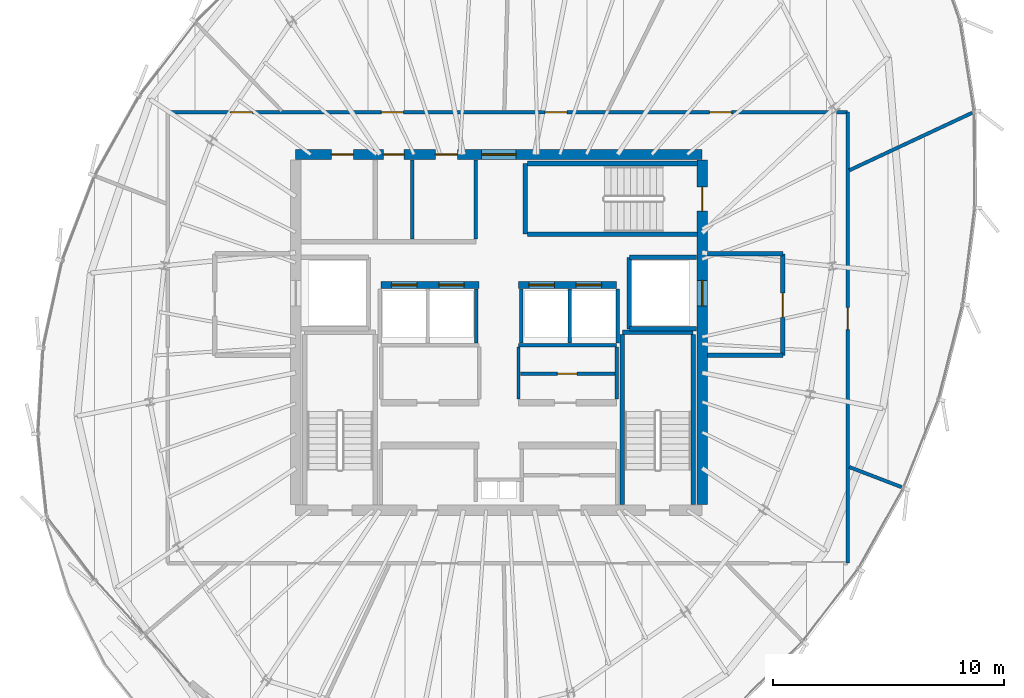
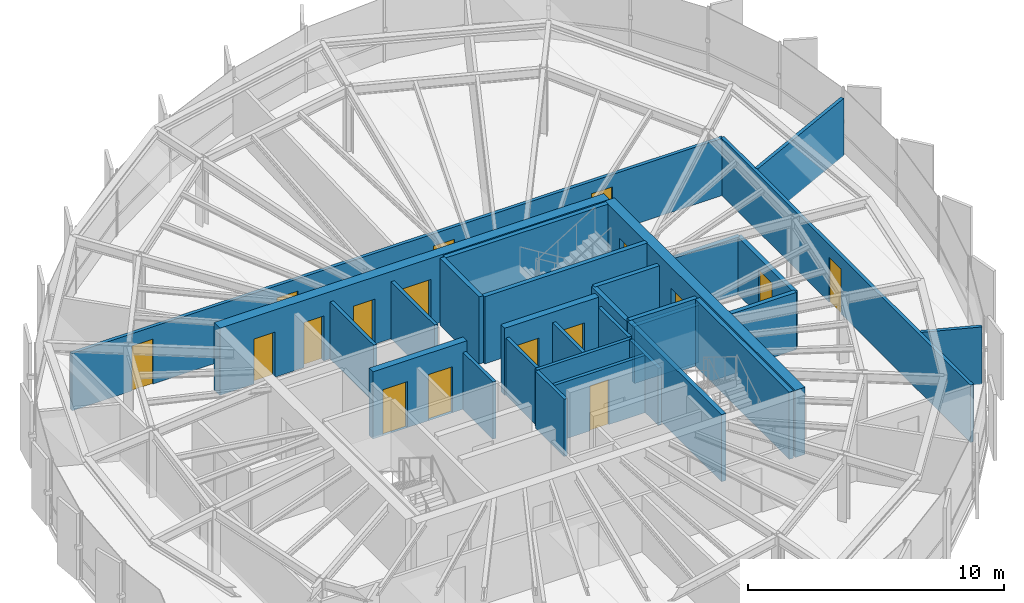
# One storey, part 28 of 34: 30 walls, 17 doors, 17 openings.
"""IFC4 building model written with IfcOpenShell, lengths in metres."""

import ifcopenshell
import ifcopenshell.guid

model = None  # the IFC model being written
_history = None  # IfcOwnerHistory: only IFC2X3 demands one
_inside = {}  # id of a spatial element -> (the spatial element, [elements in it])
_under = {}  # id of a project, library or spatial element -> (it, [spatial elements below it])
_declared = {}  # id of a project -> (the project, [libraries it declares])
_typed = {}  # id of a type object -> (the type object, [elements of that type])
_made_of = {}  # id of a material, layer set ... -> (it, [elements and type objects made of it])


def new_model(schema):
    """Start an empty IFC model of exactly this schema.

    Asked for "IFC4X3", IfcOpenShell would pick the latest addendum, in which some entities
    have other attributes; the version numbers below select the first issue.
    IFC2X3 requires an IfcOwnerHistory on every rooted entity: one is made here for all.
    """
    global model, _history
    if schema == "IFC4X3":
        model = ifcopenshell.file(schema_version=(4, 3, 0, 0))
    else:
        model = ifcopenshell.file(schema=schema)
    _inside.clear()
    _under.clear()
    _declared.clear()
    _typed.clear()
    _made_of.clear()
    _history = None
    if model.schema == "IFC2X3":
        org = make("IfcOrganization", Name="unknown")
        user = make(
            "IfcPersonAndOrganization",
            ThePerson=make("IfcPerson", FamilyName="unknown"),
            TheOrganization=org,
        )
        app = make(
            "IfcApplication",
            ApplicationDeveloper=org,
            Version="unknown",
            ApplicationFullName="unknown",
            ApplicationIdentifier="unknown",
        )
        _history = make(
            "IfcOwnerHistory",
            OwningUser=user,
            OwningApplication=app,
            ChangeAction="ADDED",
            CreationDate=0,
        )
    return model


def make(cls, **values):
    """One entity of the class cls with the attributes given. An attribute that is None is left unset."""
    return model.create_entity(
        cls, **{name: value for name, value in values.items() if value is not None}
    )


def rooted(cls, **values):
    """An entity with a GlobalId (a new one), such as an element, a storey or a relation."""
    return make(cls, GlobalId=ifcopenshell.guid.new(), OwnerHistory=_history, **values)


def si_unit(unit_type, name, prefix=None):
    """IfcSIUnit, for example si_unit("LENGTHUNIT", "METRE", prefix="MILLI")."""
    return make("IfcSIUnit", UnitType=unit_type, Prefix=prefix, Name=name)


def assignment(units):
    """IfcUnitAssignment: the units of a project."""
    return None if units is None else make("IfcUnitAssignment", Units=units)


def point(xyz):
    """IfcCartesianPoint."""
    return None if xyz is None else make("IfcCartesianPoint", Coordinates=xyz)


def direction(xyz):
    """IfcDirection."""
    return None if xyz is None else make("IfcDirection", DirectionRatios=xyz)


def frame(location, z_axis=None, x_axis=None):
    """IfcAxis2Placement3D, a coordinate frame: its origin and axes. An axis left out is left unset."""
    return make(
        "IfcAxis2Placement3D",
        Location=point(location),
        Axis=direction(z_axis),
        RefDirection=direction(x_axis),
    )


def frame_2d(location, x_axis=None):
    """IfcAxis2Placement2D, a coordinate frame in the plane: its origin and x axis."""
    return make(
        "IfcAxis2Placement2D", Location=point(location), RefDirection=direction(x_axis)
    )


def origin():
    """The frame at (0, 0, 0) with its axes left unset."""
    return frame((0.0, 0.0, 0.0))


def place(relative_to, where):
    """IfcLocalPlacement: puts the frame where relative to a parent placement (None: the world)."""
    return make(
        "IfcLocalPlacement", PlacementRelTo=relative_to, RelativePlacement=where
    )


def context(
    kind, dimensions, precision=None, world=None, true_north=None, identifier=None
):
    """IfcGeometricRepresentationContext, for example the 3D "Model" context."""
    return make(
        "IfcGeometricRepresentationContext",
        ContextIdentifier=identifier,
        ContextType=kind,
        CoordinateSpaceDimension=dimensions,
        Precision=precision,
        WorldCoordinateSystem=world,
        TrueNorth=true_north,
    )


def subcontext(parent, identifier, kind, view, scale=None):
    """IfcGeometricRepresentationSubContext, for example "Body" below "Model"."""
    return make(
        "IfcGeometricRepresentationSubContext",
        ContextIdentifier=identifier,
        ContextType=kind,
        ParentContext=parent,
        TargetScale=scale,
        TargetView=view,
    )


def project(units=None, contexts=None):
    """IfcProject with its units and contexts."""
    return rooted(
        "IfcProject",
        Name="project",
        RepresentationContexts=contexts,
        UnitsInContext=assignment(units),
    )


def spatial(cls, under=None, at=None, **own):
    """A site, building, storey or space (cls), placed at a placement, below another one or the project."""
    s = rooted(cls, ObjectPlacement=at, **own)
    if under is not None:
        _under.setdefault(under.id(), (under, []))[1].append(s)
    return s


def profile(cls, at=None, kind="AREA", **sizes):
    """A parametric profile (cls). Its sizes go by their IFC names, for example OverallWidth=200.0."""
    return make(cls, ProfileType=kind, Position=at, **sizes)


def rectangle(**sizes):
    """IfcRectangleProfileDef."""
    return profile("IfcRectangleProfileDef", **sizes)


def extrude(swept, where, along, depth):
    """IfcExtrudedAreaSolid: the profile swept, set in the frame where, extruded along a direction by depth."""
    return make(
        "IfcExtrudedAreaSolid",
        SweptArea=swept,
        Position=where,
        ExtrudedDirection=direction(along),
        Depth=depth,
    )


def shape(context_of_items, identifier, shape_type, items):
    """IfcShapeRepresentation: the items that make up one representation, for example the "Body"."""
    return make(
        "IfcShapeRepresentation",
        ContextOfItems=context_of_items,
        RepresentationIdentifier=identifier,
        RepresentationType=shape_type,
        Items=items,
    )


def source(mapping_origin, context_of_items, identifier, shape_type, items):
    """IfcRepresentationMap: a shape defined once, which mapped items show again and again."""
    return make(
        "IfcRepresentationMap",
        MappingOrigin=mapping_origin,
        MappedRepresentation=shape(context_of_items, identifier, shape_type, items),
    )


def transform(
    local_origin,
    x_axis=None,
    y_axis=None,
    z_axis=None,
    scale=None,
    scale2=None,
    scale3=None,
    uniform=True,
):
    """IfcCartesianTransformationOperator3D, or its non-uniform kind. x_axis, y_axis, z_axis: its Axis1, 2, 3."""
    if uniform:
        return make(
            "IfcCartesianTransformationOperator3D",
            Axis1=direction(x_axis),
            Axis2=direction(y_axis),
            LocalOrigin=point(local_origin),
            Scale=scale,
            Axis3=direction(z_axis),
        )
    return make(
        "IfcCartesianTransformationOperator3DnonUniform",
        Axis1=direction(x_axis),
        Axis2=direction(y_axis),
        LocalOrigin=point(local_origin),
        Scale=scale,
        Axis3=direction(z_axis),
        Scale2=scale2,
        Scale3=scale3,
    )


def mapped(mapping_source, mapping_target):
    """IfcMappedItem: shows the shape of a source again, moved by a transform."""
    return make(
        "IfcMappedItem", MappingSource=mapping_source, MappingTarget=mapping_target
    )


def material(Name=None, Category=None):
    """IfcMaterial."""
    return make("IfcMaterial", Name=Name, Category=Category)


def layer(
    of_material, thickness, ventilated=None, Name=None, Category=None, Priority=None
):
    """IfcMaterialLayer: one layer of a wall or slab, of a material (None: an air gap)."""
    return make(
        "IfcMaterialLayer",
        Material=of_material,
        LayerThickness=thickness,
        IsVentilated=ventilated,
        Name=Name,
        Category=Category,
        Priority=Priority,
    )


def layer_set(layers, Name=None):
    """IfcMaterialLayerSet."""
    return make("IfcMaterialLayerSet", MaterialLayers=layers, LayerSetName=Name)


def made_of(thing, what):
    """Note that an element or type object is made of a material, layer set ...; save() writes the relation."""
    if what is not None:
        _made_of.setdefault(what.id(), (what, []))[1].append(thing)
    return thing


def type_object(cls, material=None, **own):
    """A type object (cls), such as IfcWallType, which elements share."""
    return made_of(rooted(cls, **own), material)


def element(
    cls,
    number,
    at=None,
    inside=None,
    cuts=None,
    type_object=None,
    material=None,
    context=None,
    identifier="Body",
    shape_type=None,
    held_by="IfcProductDefinitionShape",
    body=None,
    shapes=None,
    **own,
):
    """One element of the class cls, such as IfcWall. Its Tag is "e" and its number.

    at: its placement. inside: the storey or other place that contains it. cuts: it is an
    opening in that element (IfcRelVoidsElement). A single representation is given by context,
    identifier, shape_type and body (its items); several are given by shapes. held_by: the class
    of the entity that holds the representations. save() writes the other relations.
    """
    e = rooted(cls, Tag="e%d" % number, ObjectPlacement=at, **own)
    if body is not None:
        shapes = [shape(context, identifier, shape_type, body)]
    if shapes is not None:
        e.Representation = make(held_by, Representations=shapes)
    if inside is not None:
        _inside.setdefault(inside.id(), (inside, []))[1].append(e)
    if cuts is not None:
        rooted(
            "IfcRelVoidsElement", RelatingBuildingElement=cuts, RelatedOpeningElement=e
        )
    if type_object is not None:
        _typed.setdefault(type_object.id(), (type_object, []))[1].append(e)
    return made_of(e, material)


def fill(opening, filler):
    """IfcRelFillsElement: the door or window that sits in an opening."""
    return rooted(
        "IfcRelFillsElement",
        RelatingOpeningElement=opening,
        RelatedBuildingElement=filler,
    )


def aggregate(whole, parts):
    """IfcRelAggregates: a whole, such as a stair, and the parts it consists of."""
    return rooted("IfcRelAggregates", RelatingObject=whole, RelatedObjects=parts)


def save(model, path):
    """Write the relations noted so far, then the file.

    IfcRelAggregates (storeys below a building ...), IfcRelContainedInSpatialStructure (elements
    in a storey), IfcRelDefinesByType, IfcRelAssociatesMaterial and IfcRelDeclares: one each for
    every whole, place, type object, material and project.
    """
    for whole, parts in _under.values():
        aggregate(whole, parts)
    for where, things in _inside.values():
        rooted(
            "IfcRelContainedInSpatialStructure",
            RelatedElements=things,
            RelatingStructure=where,
        )
    for kind, things in _typed.values():
        rooted("IfcRelDefinesByType", RelatedObjects=things, RelatingType=kind)
    for what, things in _made_of.values():
        rooted("IfcRelAssociatesMaterial", RelatedObjects=things, RelatingMaterial=what)
    for by, libraries in _declared.values():
        rooted("IfcRelDeclares", RelatingContext=by, RelatedDefinitions=libraries)
    model.write(path)


model = new_model("IFC4")

# Units and contexts
model_context = context("Model", 3, precision=1e-05, world=origin(), true_north=direction((0.0, 1.0)))
body_context = subcontext(model_context, "Body", "Model", "MODEL_VIEW")
ifc_project = project(units=[si_unit("LENGTHUNIT", "METRE"), si_unit("AREAUNIT", "SQUARE_METRE"), si_unit("VOLUMEUNIT", "CUBIC_METRE"), si_unit("PLANEANGLEUNIT", "RADIAN"), si_unit("MASSUNIT", "GRAM", prefix="KILO"), si_unit("THERMODYNAMICTEMPERATUREUNIT", "KELVIN")], contexts=[model_context])

# Site, building, storey
site_placement = place(None, origin())
site = spatial("IfcSite", under=ifc_project, at=site_placement, CompositionType="ELEMENT")
building_placement = place(site_placement, origin())
building = spatial("IfcBuilding", under=site, at=building_placement, Name="Kethvar Cultural Tower", CompositionType="ELEMENT")
storey_placement = place(building_placement, frame((0.0, 0.0, 262.89990234375)))
storey = spatial("IfcBuildingStorey", under=building, at=storey_placement, Name="L69", CompositionType="ELEMENT", Elevation=262.89990234375)

# Wall, openings, doors
ifc_material_1 = material(Name="Concrete C50/60", Category="concrete")
ifc_layer_1 = layer(ifc_material_1, 0.449951171875, Name="Concrete C50/60", Category="concrete")
ifc_layer_set_1 = layer_set([ifc_layer_1], Name="Concrete C50/60 (450 mm)")
wall_type_1 = type_object("IfcWallType", Name="WL-CORE-450", PredefinedType="SHEAR", material=ifc_layer_set_1)
wall_1_placement = place(storey_placement, frame((55.60009765625, 35.5, 0.0), z_axis=(0.0, 0.0, 1.0), x_axis=(-1.0, 0.0, 0.0)))
wall_1 = element("IfcWall", 1, at=wall_1_placement, inside=storey, type_object=wall_type_1, Name="L69 Core Shear Wall N", PredefinedType="SHEAR", context=body_context, shape_type="SweptSolid", body=[
    extrude(rectangle(XDim=17.60009765625, YDim=0.449951171875, at=frame_2d((8.800048828125, 0.0))), origin(), (0.0, 0.0, 1.0), 3.210205078125),
])
opening_1_placement = place(wall_1_placement, frame((8.050048828125, 0.0, 0.0)))
opening_1 = element("IfcOpeningElement", 2, at=opening_1_placement, cuts=wall_1, Name="Opening D-L69-LN", PredefinedType="OPENING", context=body_context, shape_type="SweptSolid", body=[
    extrude(rectangle(XDim=1.5, YDim=2.199951171875, at=frame_2d((0.75, 1.10009765625))), frame((0.0, 0.23486328125, 0.0), z_axis=(0.0, -1.0, 0.0), x_axis=(1.0, 0.0, 0.0)), (0.0, 0.0, 1.0), 0.469970703125),
])
opening_2_placement = place(wall_1_placement, frame((15.10009765625, 0.0, 0.0)))
opening_2 = element("IfcOpeningElement", 3, at=opening_2_placement, cuts=wall_1, Name="Opening D-L69-E1", PredefinedType="OPENING", context=body_context, shape_type="SweptSolid", body=[
    extrude(rectangle(XDim=0.949951171875, YDim=2.14990234375, at=frame_2d((0.47509765625, 1.074951171875))), frame((0.0, 0.23486328125, 0.0), z_axis=(0.0, -1.0, 0.0), x_axis=(1.0, 0.0, 0.0)), (0.0, 0.0, 1.0), 0.469970703125),
])
opening_3_placement = place(wall_1_placement, frame((12.89990234375, 0.0, 0.0)))
opening_3 = element("IfcOpeningElement", 4, at=opening_3_placement, cuts=wall_1, Name="Opening D-L69-W1", PredefinedType="OPENING", context=body_context, shape_type="SweptSolid", body=[
    extrude(rectangle(XDim=0.89990234375, YDim=2.14990234375, at=frame_2d((0.449951171875, 1.074951171875))), frame((0.0, 0.23486328125, 0.0), z_axis=(0.0, -1.0, 0.0), x_axis=(1.0, 0.0, 0.0)), (0.0, 0.0, 1.0), 0.469970703125),
])
opening_4_placement = place(wall_1_placement, frame((10.60009765625, 0.0, 0.0)))
opening_4 = element("IfcOpeningElement", 5, at=opening_4_placement, cuts=wall_1, Name="Opening D-L69-W2", PredefinedType="OPENING", context=body_context, shape_type="SweptSolid", body=[
    extrude(rectangle(XDim=0.949951171875, YDim=2.14990234375, at=frame_2d((0.47509765625, 1.074951171875))), frame((0.0, 0.23486328125, 0.0), z_axis=(0.0, -1.0, 0.0), x_axis=(1.0, 0.0, 0.0)), (0.0, 0.0, 1.0), 0.469970703125),
])
ifc_material_2 = material(Name="Architectural Oak Timber", Category="wood")
door_type_1 = type_object("IfcDoorType", Name="DR-DBL-FD60-1500", OperationType="DOUBLE_DOOR_SINGLE_SWING", PredefinedType="DOOR", material=ifc_material_2)
shared_shape_1 = source(origin(), body_context, "Body", "SweptSolid", [
    extrude(rectangle(XDim=1.5, YDim=2.199951171875, at=frame_2d((0.75, 1.10009765625))), frame((0.0, 0.02490234375, 0.0), z_axis=(0.0, -1.0, 0.0), x_axis=(1.0, 0.0, 0.0)), (0.0, 0.0, 1.0), 0.050048828125),
])
door_1_placement = place(opening_1_placement, origin())
door_1 = element("IfcDoor", 6, at=door_1_placement, inside=storey, type_object=door_type_1, Name="L69 Lift Lobby Concourse Door", OperationType="DOUBLE_DOOR_SINGLE_SWING", OverallHeight=2.199951171875, OverallWidth=1.5, PredefinedType="DOOR", context=body_context, shape_type="MappedRepresentation", body=[
    mapped(shared_shape_1, transform((0.0, 0.0, 0.0), scale=1.0)),
])
fill(opening_1, door_1)
door_type_2 = type_object("IfcDoorType", Name="DR-FD30-950", OperationType="NOTDEFINED", PredefinedType="DOOR", material=ifc_material_2)
shared_shape_2 = source(origin(), body_context, "Body", "SweptSolid", [
    extrude(rectangle(XDim=0.949951171875, YDim=2.14990234375, at=frame_2d((0.47509765625, 1.074951171875))), frame((0.0, 0.02490234375, 0.0), z_axis=(0.0, -1.0, 0.0), x_axis=(1.0, 0.0, 0.0)), (0.0, 0.0, 1.0), 0.050048828125),
])
door_2_placement = place(opening_2_placement, origin())
door_2 = element("IfcDoor", 7, at=door_2_placement, inside=storey, type_object=door_type_2, Name="L69 Electrical Switchgear Door", OperationType="SINGLE_SWING_RIGHT", OverallHeight=2.14990234375, OverallWidth=0.949951171875, PredefinedType="DOOR", context=body_context, shape_type="MappedRepresentation", body=[
    mapped(shared_shape_2, transform((0.0, 0.0, 0.0), scale=1.0)),
])
fill(opening_2, door_2)
door_3_placement = place(opening_4_placement, origin())
door_3 = element("IfcDoor", 8, at=door_3_placement, inside=storey, type_object=door_type_2, Name="L69 Public Washroom Door", OperationType="SINGLE_SWING_RIGHT", OverallHeight=2.14990234375, OverallWidth=0.949951171875, PredefinedType="DOOR", context=body_context, shape_type="MappedRepresentation", body=[
    mapped(shared_shape_2, transform((0.0, 0.0, 0.0), scale=1.0)),
])
fill(opening_4, door_3)
door_type_3 = type_object("IfcDoorType", Name="DR-FD30-900", OperationType="NOTDEFINED", PredefinedType="DOOR", material=ifc_material_2)
shared_shape_3 = source(origin(), body_context, "Body", "SweptSolid", [
    extrude(rectangle(XDim=0.89990234375, YDim=2.14990234375, at=frame_2d((0.449951171875, 1.074951171875))), frame((0.0, 0.02490234375, 0.0), z_axis=(0.0, -1.0, 0.0), x_axis=(1.0, 0.0, 0.0)), (0.0, 0.0, 1.0), 0.050048828125),
])
door_4_placement = place(opening_3_placement, origin())
door_4 = element("IfcDoor", 9, at=door_4_placement, inside=storey, type_object=door_type_3, Name="L69 Accessible Washroom Door", OperationType="SINGLE_SWING_LEFT", OverallHeight=2.14990234375, OverallWidth=0.89990234375, PredefinedType="DOOR", context=body_context, shape_type="MappedRepresentation", body=[
    mapped(shared_shape_3, transform((0.0, 0.0, 0.0), scale=1.0)),
])
fill(opening_3, door_4)

wall_2_placement = place(storey_placement, frame((55.60009765625, 20.340087890625, 0.0), z_axis=(0.0, 0.0, 1.0), x_axis=(0.0, 1.0, 0.0)))
wall_2 = element("IfcWall", 10, at=wall_2_placement, inside=storey, type_object=wall_type_1, Name="L69 Core Shear Wall E", PredefinedType="SHEAR", context=body_context, shape_type="SweptSolid", body=[
    extrude(rectangle(XDim=14.919921875, YDim=0.449951171875, at=frame_2d((7.4599609375, 0.0))), origin(), (0.0, 0.0, 1.0), 3.210205078125),
])
opening_5_placement = place(wall_2_placement, frame((12.7099609375, 0.0, 0.0)))
opening_5 = element("IfcOpeningElement", 11, at=opening_5_placement, cuts=wall_2, Name="Opening D-L69-S3", PredefinedType="OPENING", context=body_context, shape_type="SweptSolid", body=[
    extrude(rectangle(XDim=1.050048828125, YDim=2.14990234375, at=frame_2d((0.52490234375, 1.074951171875))), frame((0.0, 0.23486328125, 0.0), z_axis=(0.0, -1.0, 0.0), x_axis=(1.0, 0.0, 0.0)), (0.0, 0.0, 1.0), 0.469970703125),
])
opening_6_placement = place(wall_2_placement, frame((8.610107421875, 0.0, 0.0)))
opening_6 = element("IfcOpeningElement", 12, at=opening_6_placement, cuts=wall_2, Name="Opening LD-2", PredefinedType="OPENING", context=body_context, shape_type="SweptSolid", body=[
    extrude(rectangle(XDim=1.10009765625, YDim=2.199951171875, at=frame_2d((0.550048828125, 1.10009765625))), frame((0.0, 0.23486328125, 0.0), z_axis=(0.0, -1.0, 0.0), x_axis=(1.0, 0.0, 0.0)), (0.0, 0.0, 1.0), 0.469970703125),
])
ifc_material_3 = material(Name="Steel S355J2", Category="steel")
door_type_4 = type_object("IfcDoorType", Name="DR-FD60-1050", OperationType="NOTDEFINED", PredefinedType="DOOR", material=ifc_material_3)
shared_shape_4 = source(origin(), body_context, "Body", "SweptSolid", [
    extrude(rectangle(XDim=1.050048828125, YDim=2.14990234375, at=frame_2d((0.52490234375, 1.074951171875))), frame((0.0, 0.02490234375, 0.0), z_axis=(0.0, -1.0, 0.0), x_axis=(1.0, 0.0, 0.0)), (0.0, 0.0, 1.0), 0.050048828125),
])
door_5_placement = place(opening_5_placement, origin())
door_5 = element("IfcDoor", 13, at=door_5_placement, inside=storey, type_object=door_type_4, Name="L69 Exit Stair 3 Door", OperationType="SINGLE_SWING_LEFT", OverallHeight=2.14990234375, OverallWidth=1.050048828125, PredefinedType="DOOR", context=body_context, shape_type="MappedRepresentation", body=[
    mapped(shared_shape_4, transform((0.0, 0.0, 0.0), scale=1.0)),
])
fill(opening_5, door_5)
door_type_5 = type_object("IfcDoorType", Name="DR-LIFT-SLIDE-1100", OperationType="NOTDEFINED", PredefinedType="DOOR", material=ifc_material_3)
shared_shape_5 = source(origin(), body_context, "Body", "SweptSolid", [
    extrude(rectangle(XDim=1.10009765625, YDim=2.199951171875, at=frame_2d((0.550048828125, 1.10009765625))), frame((0.0, 0.02490234375, 0.0), z_axis=(0.0, -1.0, 0.0), x_axis=(1.0, 0.0, 0.0)), (0.0, 0.0, 1.0), 0.050048828125),
])
door_6_placement = place(opening_6_placement, origin())
door_6 = element("IfcDoor", 14, at=door_6_placement, inside=storey, type_object=door_type_5, Name="L69 Firefighting Lift Landing Door FFL-02", OperationType="SLIDING_TO_RIGHT", OverallHeight=2.199951171875, OverallWidth=1.10009765625, PredefinedType="DOOR", context=body_context, shape_type="MappedRepresentation", body=[
    mapped(shared_shape_5, transform((0.0, 0.0, 0.0), scale=1.0)),
])
fill(opening_6, door_6)

# Walls
ifc_material_4 = material(Name="Gypsum Fireboard Partition")
ifc_layer_2 = layer(ifc_material_4, 0.14990234375, Name="Gypsum Fireboard Partition")
ifc_layer_set_2 = layer_set([ifc_layer_2], Name="Gypsum Fireboard Partition (150 mm)")
wall_type_2 = type_object("IfcWallType", Name="WL-FIRE-150", PredefinedType="PARTITIONING", material=ifc_layer_set_2)
wall_3_placement = place(storey_placement, frame((47.64990234375, 27.25, 0.0), z_axis=(0.0, 0.0, 1.0), x_axis=(1.0, 0.0, 0.0)))
element("IfcWall", 15, at=wall_3_placement, inside=storey, type_object=wall_type_2, Name="L69 Reclaimed Mid Wall E", PredefinedType="PARTITIONING", context=body_context, shape_type="SweptSolid", body=[
    extrude(rectangle(XDim=4.25, YDim=0.14990234375, at=frame_2d((2.125, 0.0))), origin(), (0.0, 0.0, 1.0), 2.735107421875),
])
for number, where, z_axis, x_axis, name in (
    (16, (47.64990234375, 24.919921875, 0.0), (0.0, 0.0, 1.0), (0.0, 1.0, 0.0), "L69 Reclaimed Mid Spine E"),
    (17, (51.89990234375, 24.919921875, 0.0), (0.0, 0.0, 1.0), (0.0, 1.0, 0.0), "L69 Reclaimed Mid Outer E"),
):
    element("IfcWall", number, at=place(storey_placement, frame(where, z_axis=z_axis, x_axis=x_axis)), inside=storey, type_object=wall_type_2, Name=name, PredefinedType="PARTITIONING", context=body_context, shape_type="SweptSolid", body=[
        extrude(rectangle(XDim=2.239990234375, YDim=0.14990234375, at=frame_2d((1.1201171875, 0.0))), origin(), (0.0, 0.0, 1.0), 2.735107421875),
    ])

# Wall, opening, door
wall_4_placement = place(storey_placement, frame((47.72998046875, 26.010009765625, 0.0), z_axis=(0.0, 0.0, 1.0), x_axis=(1.0, 0.0, 0.0)))
wall_4 = element("IfcWall", 18, at=wall_4_placement, inside=storey, type_object=wall_type_2, Name="L69 Mid Gallery Wall E", PredefinedType="PARTITIONING", context=body_context, shape_type="SweptSolid", body=[
    extrude(rectangle(XDim=4.090087890625, YDim=0.14990234375, at=frame_2d((2.044921875, 0.0))), origin(), (0.0, 0.0, 1.0), 2.735107421875),
])
opening_7_placement = place(wall_4_placement, frame((1.60009765625, 0.0, 0.0)))
opening_7 = element("IfcOpeningElement", 19, at=opening_7_placement, cuts=wall_4, Name="Opening D-L69-M3", PredefinedType="OPENING", context=body_context, shape_type="SweptSolid", body=[
    extrude(rectangle(XDim=0.85009765625, YDim=2.14990234375, at=frame_2d((0.425048828125, 1.074951171875))), frame((0.0, 0.0849609375, 0.0), z_axis=(0.0, -1.0, 0.0), x_axis=(1.0, 0.0, 0.0)), (0.0, 0.0, 1.0), 0.169921875),
])
door_type_6 = type_object("IfcDoorType", Name="DR-FD30-850", OperationType="NOTDEFINED", PredefinedType="DOOR", material=ifc_material_3)
shared_shape_6 = source(origin(), body_context, "Body", "SweptSolid", [
    extrude(rectangle(XDim=0.85009765625, YDim=2.14990234375, at=frame_2d((0.425048828125, 1.074951171875))), frame((0.0, 0.02490234375, 0.0), z_axis=(0.0, -1.0, 0.0), x_axis=(1.0, 0.0, 0.0)), (0.0, 0.0, 1.0), 0.050048828125),
])
door_7_placement = place(opening_7_placement, origin())
door_7 = element("IfcDoor", 20, at=door_7_placement, inside=storey, type_object=door_type_6, Name="L69 UPS Inner Door", OperationType="SINGLE_SWING_RIGHT", OverallHeight=2.14990234375, OverallWidth=0.85009765625, PredefinedType="DOOR", context=body_context, shape_type="MappedRepresentation", body=[
    mapped(shared_shape_6, transform((0.0, 0.0, 0.0), scale=1.0)),
])
fill(opening_7, door_7)

# Walls
for number, where, z_axis, x_axis, name in (
    (21, (45.824951171875, 27.340087890625, 0.0), (0.0, 0.0, 1.0), (0.0, 1.0, 0.0), "L69 High-Rise Lift Shaft Concourse Wall W"),
    (22, (47.77490234375, 27.340087890625, 0.0), (0.0, 0.0, 1.0), (0.0, 1.0, 0.0), "L69 High-Rise Lift Shaft Concourse Wall E"),
    (23, (49.875, 27.340087890625, 0.0), (0.0, 0.0, 1.0), (0.0, 1.0, 0.0), "L69 High-Rise Lift Shaft Divider E"),
    (24, (51.949951171875, 27.340087890625, 0.0), (0.0, 0.0, 1.0), (0.0, 1.0, 0.0), "L69 High-Rise Lift Shaft Outer Wall E"),
):
    element("IfcWall", number, at=place(storey_placement, frame(where, z_axis=z_axis, x_axis=x_axis)), inside=storey, type_object=wall_type_2, Name=name, PredefinedType="PARTITIONING", context=body_context, shape_type="SweptSolid", body=[
        extrude(rectangle(XDim=2.33984375, YDim=0.14990234375, at=frame_2d((1.169921875, 0.0))), origin(), (0.0, 0.0, 1.0), 2.735107421875),
    ])
wall_5_placement = place(storey_placement, frame((45.800048828125, 31.85009765625, 0.0), z_axis=(0.0, 0.0, 1.0), x_axis=(0.0, 1.0, 0.0)))
element("IfcWall", 25, at=wall_5_placement, inside=storey, type_object=wall_type_2, Name="L69 Sanitary Spine Wall", PredefinedType="PARTITIONING", context=body_context, shape_type="SweptSolid", body=[
    extrude(rectangle(XDim=3.414794921875, YDim=0.14990234375, at=frame_2d((1.70751953125, 0.0))), origin(), (0.0, 0.0, 1.0), 2.735107421875),
])

# Wall, opening, door
wall_6_placement = place(storey_placement, frame((61.902099609375, 17.806884765625, 0.0), z_axis=(0.0, 0.0, 1.0), x_axis=(0.0, 1.0, 0.0)))
wall_6 = element("IfcWall", 26, at=wall_6_placement, inside=storey, type_object=wall_type_2, Name="L69 Corridor Rated Wall E", PredefinedType="PARTITIONING", context=body_context, shape_type="SweptSolid", body=[
    extrude(rectangle(XDim=19.524169921875, YDim=0.14990234375, at=frame_2d((9.76220703125, 0.0))), origin(), (0.0, 0.0, 1.0), 2.735107421875),
])
opening_8_placement = place(wall_6_placement, frame((10.11083984375, 0.0, 0.0)))
opening_8 = element("IfcOpeningElement", 27, at=opening_8_placement, cuts=wall_6, Name="Opening D-L69-05", PredefinedType="OPENING", context=body_context, shape_type="SweptSolid", body=[
    extrude(rectangle(XDim=0.949951171875, YDim=2.14990234375, at=frame_2d((0.47509765625, 1.074951171875))), frame((0.0, 0.0849609375, 0.0), z_axis=(0.0, -1.0, 0.0), x_axis=(1.0, 0.0, 0.0)), (0.0, 0.0, 1.0), 0.169921875),
])
door_8_placement = place(opening_8_placement, origin())
door_8 = element("IfcDoor", 28, at=door_8_placement, inside=storey, type_object=door_type_2, Name="L69 Panoramic Reading Lounge 05 Door", OperationType="SINGLE_SWING_RIGHT", OverallHeight=2.14990234375, OverallWidth=0.949951171875, PredefinedType="DOOR", context=body_context, shape_type="MappedRepresentation", body=[
    mapped(shared_shape_2, transform((0.0, 0.0, 0.0), scale=1.0)),
])
fill(opening_8, door_8)

# Wall, openings, doors
wall_7_placement = place(storey_placement, frame((61.902099609375, 37.3310546875, 0.0), z_axis=(0.0, 0.0, 1.0), x_axis=(-1.0, 0.0, 0.0)))
wall_7 = element("IfcWall", 29, at=wall_7_placement, inside=storey, type_object=wall_type_2, Name="L69 Corridor Rated Wall N", PredefinedType="PARTITIONING", context=body_context, shape_type="SweptSolid", body=[
    extrude(rectangle(XDim=29.442138671875, YDim=0.14990234375, at=frame_2d((14.72119140625, 0.0))), origin(), (0.0, 0.0, 1.0), 2.735107421875),
])
opening_9_placement = place(wall_7_placement, frame((5.02490234375, 0.0, 0.0)))
opening_9 = element("IfcOpeningElement", 30, at=opening_9_placement, cuts=wall_7, Name="Opening D-L69-06", PredefinedType="OPENING", context=body_context, shape_type="SweptSolid", body=[
    extrude(rectangle(XDim=0.949951171875, YDim=2.14990234375, at=frame_2d((0.47509765625, 1.074951171875))), frame((0.0, 0.0849609375, 0.0), z_axis=(0.0, -1.0, 0.0), x_axis=(1.0, 0.0, 0.0)), (0.0, 0.0, 1.0), 0.169921875),
])
opening_10_placement = place(wall_7_placement, frame((12.152587890625, 0.0, 0.0)))
opening_10 = element("IfcOpeningElement", 31, at=opening_10_placement, cuts=wall_7, Name="Opening D-L69-07", PredefinedType="OPENING", context=body_context, shape_type="SweptSolid", body=[
    extrude(rectangle(XDim=0.949951171875, YDim=2.14990234375, at=frame_2d((0.47509765625, 1.074951171875))), frame((0.0, 0.0849609375, 0.0), z_axis=(0.0, -1.0, 0.0), x_axis=(1.0, 0.0, 0.0)), (0.0, 0.0, 1.0), 0.169921875),
])
opening_11_placement = place(wall_7_placement, frame((19.236572265625, 0.0, 0.0)))
opening_11 = element("IfcOpeningElement", 32, at=opening_11_placement, cuts=wall_7, Name="Opening D-L69-08", PredefinedType="OPENING", context=body_context, shape_type="SweptSolid", body=[
    extrude(rectangle(XDim=0.949951171875, YDim=2.14990234375, at=frame_2d((0.47509765625, 1.074951171875))), frame((0.0, 0.0849609375, 0.0), z_axis=(0.0, -1.0, 0.0), x_axis=(1.0, 0.0, 0.0)), (0.0, 0.0, 1.0), 0.169921875),
])
opening_12_placement = place(wall_7_placement, frame((25.778076171875, 0.0, 0.0)))
opening_12 = element("IfcOpeningElement", 33, at=opening_12_placement, cuts=wall_7, Name="Opening D-L69-09", PredefinedType="OPENING", context=body_context, shape_type="SweptSolid", body=[
    extrude(rectangle(XDim=0.949951171875, YDim=2.14990234375, at=frame_2d((0.47509765625, 1.074951171875))), frame((0.0, 0.0849609375, 0.0), z_axis=(0.0, -1.0, 0.0), x_axis=(1.0, 0.0, 0.0)), (0.0, 0.0, 1.0), 0.169921875),
])
door_9_placement = place(opening_9_placement, origin())
door_9 = element("IfcDoor", 34, at=door_9_placement, inside=storey, type_object=door_type_2, Name="L69 Cultural Lecture Room 06 Door", OperationType="SINGLE_SWING_LEFT", OverallHeight=2.14990234375, OverallWidth=0.949951171875, PredefinedType="DOOR", context=body_context, shape_type="MappedRepresentation", body=[
    mapped(shared_shape_2, transform((0.0, 0.0, 0.0), scale=1.0)),
])
fill(opening_9, door_9)
door_10_placement = place(opening_10_placement, origin())
door_10 = element("IfcDoor", 35, at=door_10_placement, inside=storey, type_object=door_type_2, Name="L69 Publication Archive Store 07 Door", OperationType="SINGLE_SWING_RIGHT", OverallHeight=2.14990234375, OverallWidth=0.949951171875, PredefinedType="DOOR", context=body_context, shape_type="MappedRepresentation", body=[
    mapped(shared_shape_2, transform((0.0, 0.0, 0.0), scale=1.0)),
])
fill(opening_10, door_10)
door_11_placement = place(opening_11_placement, origin())
door_11 = element("IfcDoor", 36, at=door_11_placement, inside=storey, type_object=door_type_2, Name="L69 Laboratory Tea Pantry 08 Door", OperationType="SINGLE_SWING_LEFT", OverallHeight=2.14990234375, OverallWidth=0.949951171875, PredefinedType="DOOR", context=body_context, shape_type="MappedRepresentation", body=[
    mapped(shared_shape_2, transform((0.0, 0.0, 0.0), scale=1.0)),
])
fill(opening_11, door_11)
door_12_placement = place(opening_12_placement, origin())
door_12 = element("IfcDoor", 37, at=door_12_placement, inside=storey, type_object=door_type_2, Name="L69 First Aid Room 09 Door", OperationType="SINGLE_SWING_RIGHT", OverallHeight=2.14990234375, OverallWidth=0.949951171875, PredefinedType="DOOR", context=body_context, shape_type="MappedRepresentation", body=[
    mapped(shared_shape_2, transform((0.0, 0.0, 0.0), scale=1.0)),
])
fill(opening_12, door_12)

# Walls
ifc_material_5 = material(Name="Concrete C40/50", Category="concrete")
ifc_layer_3 = layer(ifc_material_5, 0.199951171875, Name="Concrete C40/50", Category="concrete")
ifc_layer_set_3 = layer_set([ifc_layer_3], Name="Concrete C40/50 (200 mm)")
wall_type_3 = type_object("IfcWallType", Name="WL-FIRE-200", PredefinedType="PARTITIONING", material=ifc_layer_set_3)
wall_8_placement = place(storey_placement, frame((52.449951171875, 27.949951171875, 0.0), z_axis=(0.0, 0.0, 1.0), x_axis=(0.0, 1.0, 0.0)))
element("IfcWall", 38, at=wall_8_placement, inside=storey, type_object=wall_type_3, Name="L69 FFL-02 Shaft Inner Wall", PredefinedType="PARTITIONING", context=body_context, shape_type="SweptSolid", body=[
    extrude(rectangle(XDim=3.10009765625, YDim=0.199951171875, at=frame_2d((1.550048828125, 0.0))), origin(), (0.0, 0.0, 1.0), 2.735107421875),
])
for number, where, z_axis, x_axis, name in (
    (39, (52.449951171875, 27.949951171875, 0.0), (0.0, 0.0, 1.0), (1.0, 0.0, 0.0), "L69 FFL-02 Shaft South Wall"),
    (40, (52.449951171875, 31.050048828125, 0.0), (0.0, 0.0, 1.0), (1.0, 0.0, 0.0), "L69 FFL-02 Shaft North Wall"),
):
    element("IfcWall", number, at=place(storey_placement, frame(where, z_axis=z_axis, x_axis=x_axis)), inside=storey, type_object=wall_type_3, Name=name, PredefinedType="PARTITIONING", context=body_context, shape_type="SweptSolid", body=[
        extrude(rectangle(XDim=2.9150390625, YDim=0.199951171875, at=frame_2d((1.45751953125, 0.0))), origin(), (0.0, 0.0, 1.0), 2.735107421875),
    ])

# Wall, opening, door
wall_9_placement = place(storey_placement, frame((59.10009765625, 26.800048828125, 0.0), z_axis=(0.0, 0.0, 1.0), x_axis=(0.0, 1.0, 0.0)))
wall_9 = element("IfcWall", 41, at=wall_9_placement, inside=storey, type_object=wall_type_3, Name="L69 Firefighting Lobby 2 Wall", PredefinedType="PARTITIONING", context=body_context, shape_type="SweptSolid", body=[
    extrude(rectangle(XDim=4.39990234375, YDim=0.199951171875, at=frame_2d((2.199951171875, 0.0))), origin(), (0.0, 0.0, 1.0), 2.735107421875),
])
opening_13_placement = place(wall_9_placement, frame((1.64990234375, 0.0, 0.0)))
opening_13 = element("IfcOpeningElement", 42, at=opening_13_placement, cuts=wall_9, Name="Opening D-L69-F2", PredefinedType="OPENING", context=body_context, shape_type="SweptSolid", body=[
    extrude(rectangle(XDim=1.050048828125, YDim=2.14990234375, at=frame_2d((0.52490234375, 1.074951171875))), frame((0.0, 0.10986328125, 0.0), z_axis=(0.0, -1.0, 0.0), x_axis=(1.0, 0.0, 0.0)), (0.0, 0.0, 1.0), 0.219970703125),
])
door_13_placement = place(opening_13_placement, origin())
door_13 = element("IfcDoor", 43, at=door_13_placement, inside=storey, type_object=door_type_4, Name="L69 Firefighting Lobby 2 Fire Door", OperationType="SINGLE_SWING_LEFT", OverallHeight=2.14990234375, OverallWidth=1.050048828125, PredefinedType="DOOR", context=body_context, shape_type="MappedRepresentation", body=[
    mapped(shared_shape_4, transform((0.0, 0.0, 0.0), scale=1.0)),
])
fill(opening_13, door_13)

# Walls
for number, where, z_axis, x_axis, name in (
    (44, (55.8349609375, 26.800048828125, 0.0), (0.0, 0.0, 1.0), (1.0, 0.0, 0.0), "L69 FF Lobby 2 South Wall"),
    (45, (55.8349609375, 31.199951171875, 0.0), (0.0, 0.0, 1.0), (1.0, 0.0, 0.0), "L69 FF Lobby 2 North Wall"),
):
    element("IfcWall", number, at=place(storey_placement, frame(where, z_axis=z_axis, x_axis=x_axis)), inside=storey, type_object=wall_type_3, Name=name, PredefinedType="PARTITIONING", context=body_context, shape_type="SweptSolid", body=[
        extrude(rectangle(XDim=3.26513671875, YDim=0.199951171875, at=frame_2d((1.632568359375, 0.0))), origin(), (0.0, 0.0, 1.0), 2.735107421875),
    ])
ifc_material_6 = material(Name="Gypsum Acoustic Partition")
ifc_layer_4 = layer(ifc_material_6, 0.14990234375, Name="Gypsum Acoustic Partition")
ifc_layer_set_4 = layer_set([ifc_layer_4], Name="Gypsum Acoustic Partition (150 mm)")
wall_type_4 = type_object("IfcWallType", Name="WL-PART-150", PredefinedType="PARTITIONING", material=ifc_layer_set_4)
wall_10_placement = place(storey_placement, frame((61.976806640625, 21.966064453125, 0.0), z_axis=(0.0, 0.0, 1.0), x_axis=(0.93354551038, -0.358458895898, 0.0)))
element("IfcWall", 46, at=wall_10_placement, inside=storey, type_object=wall_type_4, Name="L69 Radial Partition Wall 05", PredefinedType="PARTITIONING", context=body_context, shape_type="SweptSolid", body=[
    extrude(rectangle(XDim=2.421875, YDim=0.14990234375, at=frame_2d((1.2109375, 0.0))), origin(), (0.0, 0.0, 1.0), 2.735107421875),
])
wall_11_placement = place(storey_placement, frame((61.974609375, 34.816162109375, 0.0), z_axis=(0.0, 0.0, 1.0), x_axis=(0.905765848745, 0.423778512016, 0.0)))
element("IfcWall", 47, at=wall_11_placement, inside=storey, type_object=wall_type_4, Name="L69 Radial Partition Wall 06", PredefinedType="PARTITIONING", context=body_context, shape_type="SweptSolid", body=[
    extrude(rectangle(XDim=5.88037109375, YDim=0.14990234375, at=frame_2d((2.940185546875, 0.0))), origin(), (0.0, 0.0, 1.0), 2.735107421875),
])
ifc_material_7 = material(Name="Moisture-Resistant Sanitary Chase Wall")
ifc_layer_5 = layer(ifc_material_7, 0.14990234375, Name="Moisture-Resistant Sanitary Chase Wall")
ifc_layer_set_5 = layer_set([ifc_layer_5], Name="Moisture-Resistant Sanitary Chase Wall (150 mm)")
wall_type_5 = type_object("IfcWallType", Name="WL-PLUMB-150", PredefinedType="PLUMBINGWALL", material=ifc_layer_set_5)
wall_12_placement = place(storey_placement, frame((43.050048828125, 31.85009765625, 0.0), z_axis=(0.0, 0.0, 1.0), x_axis=(0.0, 1.0, 0.0)))
element("IfcWall", 48, at=wall_12_placement, inside=storey, type_object=wall_type_5, Name="L69 Sanitary Plumbing Wall", PredefinedType="PLUMBINGWALL", context=body_context, shape_type="SweptSolid", body=[
    extrude(rectangle(XDim=3.414794921875, YDim=0.14990234375, at=frame_2d((1.70751953125, 0.0))), origin(), (0.0, 0.0, 1.0), 2.735107421875),
])

# Wall, openings, doors
ifc_layer_6 = layer(ifc_material_1, 0.300048828125, Name="Concrete C50/60", Category="concrete")
ifc_layer_set_6 = layer_set([ifc_layer_6], Name="Concrete C50/60 (300 mm)")
wall_type_6 = type_object("IfcWallType", Name="WL-SHAFT-300", PredefinedType="SHEAR", material=ifc_layer_set_6)
wall_13_placement = place(storey_placement, frame((41.699951171875, 29.85009765625, 0.0), z_axis=(0.0, 0.0, 1.0), x_axis=(1.0, 0.0, 0.0)))
wall_13 = element("IfcWall", 49, at=wall_13_placement, inside=storey, type_object=wall_type_6, Name="L69 Core Lift Spine Wall MID3W", PredefinedType="SHEAR", context=body_context, shape_type="SweptSolid", body=[
    extrude(rectangle(XDim=4.25, YDim=0.300048828125, at=frame_2d((2.125, 0.0))), origin(), (0.0, 0.0, 1.0), 3.210205078125),
])
opening_14_placement = place(wall_13_placement, frame((0.449951171875, 0.0, 0.0)))
opening_14 = element("IfcOpeningElement", 50, at=opening_14_placement, cuts=wall_13, Name="Opening LD-H1", PredefinedType="OPENING", context=body_context, shape_type="SweptSolid", body=[
    extrude(rectangle(XDim=1.10009765625, YDim=2.199951171875, at=frame_2d((0.550048828125, 1.10009765625))), frame((0.0, 0.159912109375, 0.0), z_axis=(0.0, -1.0, 0.0), x_axis=(1.0, 0.0, 0.0)), (0.0, 0.0, 1.0), 0.320068359375),
])
opening_15_placement = place(wall_13_placement, frame((2.5, 0.0, 0.0)))
opening_15 = element("IfcOpeningElement", 51, at=opening_15_placement, cuts=wall_13, Name="Opening LD-H2", PredefinedType="OPENING", context=body_context, shape_type="SweptSolid", body=[
    extrude(rectangle(XDim=1.10009765625, YDim=2.199951171875, at=frame_2d((0.550048828125, 1.10009765625))), frame((0.0, 0.159912109375, 0.0), z_axis=(0.0, -1.0, 0.0), x_axis=(1.0, 0.0, 0.0)), (0.0, 0.0, 1.0), 0.320068359375),
])
door_14_placement = place(opening_14_placement, origin())
door_14 = element("IfcDoor", 52, at=door_14_placement, inside=storey, type_object=door_type_5, Name="L69 High-Rise Lift Landing Door H1", OperationType="SLIDING_TO_LEFT", OverallHeight=2.199951171875, OverallWidth=1.10009765625, PredefinedType="DOOR", context=body_context, shape_type="MappedRepresentation", body=[
    mapped(shared_shape_5, transform((0.0, 0.0, 0.0), scale=1.0)),
])
fill(opening_14, door_14)
door_15_placement = place(opening_15_placement, origin())
door_15 = element("IfcDoor", 53, at=door_15_placement, inside=storey, type_object=door_type_5, Name="L69 High-Rise Lift Landing Door H2", OperationType="SLIDING_TO_LEFT", OverallHeight=2.199951171875, OverallWidth=1.10009765625, PredefinedType="DOOR", context=body_context, shape_type="MappedRepresentation", body=[
    mapped(shared_shape_5, transform((0.0, 0.0, 0.0), scale=1.0)),
])
fill(opening_15, door_15)

wall_14_placement = place(storey_placement, frame((47.64990234375, 29.85009765625, 0.0), z_axis=(0.0, 0.0, 1.0), x_axis=(1.0, 0.0, 0.0)))
wall_14 = element("IfcWall", 54, at=wall_14_placement, inside=storey, type_object=wall_type_6, Name="L69 Core Lift Spine Wall MID3E", PredefinedType="SHEAR", context=body_context, shape_type="SweptSolid", body=[
    extrude(rectangle(XDim=4.25, YDim=0.300048828125, at=frame_2d((2.125, 0.0))), origin(), (0.0, 0.0, 1.0), 3.210205078125),
])
opening_16_placement = place(wall_14_placement, frame((0.449951171875, 0.0, 0.0)))
opening_16 = element("IfcOpeningElement", 55, at=opening_16_placement, cuts=wall_14, Name="Opening LD-H3", PredefinedType="OPENING", context=body_context, shape_type="SweptSolid", body=[
    extrude(rectangle(XDim=1.10009765625, YDim=2.199951171875, at=frame_2d((0.550048828125, 1.10009765625))), frame((0.0, 0.159912109375, 0.0), z_axis=(0.0, -1.0, 0.0), x_axis=(1.0, 0.0, 0.0)), (0.0, 0.0, 1.0), 0.320068359375),
])
opening_17_placement = place(wall_14_placement, frame((2.5, 0.0, 0.0)))
opening_17 = element("IfcOpeningElement", 56, at=opening_17_placement, cuts=wall_14, Name="Opening LD-H4", PredefinedType="OPENING", context=body_context, shape_type="SweptSolid", body=[
    extrude(rectangle(XDim=1.10009765625, YDim=2.199951171875, at=frame_2d((0.550048828125, 1.10009765625))), frame((0.0, 0.159912109375, 0.0), z_axis=(0.0, -1.0, 0.0), x_axis=(1.0, 0.0, 0.0)), (0.0, 0.0, 1.0), 0.320068359375),
])
door_16_placement = place(opening_16_placement, origin())
door_16 = element("IfcDoor", 57, at=door_16_placement, inside=storey, type_object=door_type_5, Name="L69 High-Rise Lift Landing Door H3", OperationType="SLIDING_TO_LEFT", OverallHeight=2.199951171875, OverallWidth=1.10009765625, PredefinedType="DOOR", context=body_context, shape_type="MappedRepresentation", body=[
    mapped(shared_shape_5, transform((0.0, 0.0, 0.0), scale=1.0)),
])
fill(opening_16, door_16)
door_17_placement = place(opening_17_placement, origin())
door_17 = element("IfcDoor", 58, at=door_17_placement, inside=storey, type_object=door_type_5, Name="L69 High-Rise Lift Landing Door H4", OperationType="SLIDING_TO_LEFT", OverallHeight=2.199951171875, OverallWidth=1.10009765625, PredefinedType="DOOR", context=body_context, shape_type="MappedRepresentation", body=[
    mapped(shared_shape_5, transform((0.0, 0.0, 0.0), scale=1.0)),
])
fill(opening_17, door_17)

# Walls
ifc_layer_7 = layer(ifc_material_1, 0.199951171875, Name="Concrete C50/60", Category="concrete")
ifc_layer_set_7 = layer_set([ifc_layer_7], Name="Concrete C50/60 (200 mm)")
wall_type_7 = type_object("IfcWallType", Name="WL-STSHAFT-200", PredefinedType="SHEAR", material=ifc_layer_set_7)
wall_15_placement = place(storey_placement, frame((52.14990234375, 27.800048828125, 0.0), z_axis=(0.0, 0.0, 1.0), x_axis=(1.0, 0.0, 0.0)))
element("IfcWall", 59, at=wall_15_placement, inside=storey, type_object=wall_type_7, Name="L69 ST-02 Stair Shaft Wall FAR", PredefinedType="SHEAR", context=body_context, shape_type="SweptSolid", body=[
    extrude(rectangle(XDim=3.06005859375, YDim=0.199951171875, at=frame_2d((1.530029296875, 0.0))), origin(), (0.0, 0.0, 1.0), 3.210205078125),
])
for number, where, z_axis, x_axis, name in (
    (60, (55.2099609375, 27.699951171875, 0.0), (0.0, 0.0, 1.0), (0.0, -1.0, 0.0), "L69 ST-02 Stair Shaft Wall LEFT"),
    (61, (52.14990234375, 20.35009765625, 0.0), (0.0, 0.0, 1.0), (0.0, 1.0, 0.0), "L69 ST-02 Stair Shaft Wall RIGHT"),
):
    element("IfcWall", number, at=place(storey_placement, frame(where, z_axis=z_axis, x_axis=x_axis)), inside=storey, type_object=wall_type_7, Name=name, PredefinedType="SHEAR", context=body_context, shape_type="SweptSolid", body=[
        extrude(rectangle(XDim=7.349853515625, YDim=0.199951171875, at=frame_2d((3.6748046875, 0.0))), origin(), (0.0, 0.0, 1.0), 3.210205078125),
    ])
wall_16_placement = place(storey_placement, frame((47.949951171875, 32.050048828125, 0.0), z_axis=(0.0, 0.0, 1.0), x_axis=(0.0, 1.0, 0.0)))
element("IfcWall", 62, at=wall_16_placement, inside=storey, type_object=wall_type_7, Name="L69 ST-03 Stair Shaft Wall FAR", PredefinedType="SHEAR", context=body_context, shape_type="SweptSolid", body=[
    extrude(rectangle(XDim=3.06005859375, YDim=0.199951171875, at=frame_2d((1.530029296875, 0.0))), origin(), (0.0, 0.0, 1.0), 3.210205078125),
])
for number, where, z_axis, x_axis, name in (
    (63, (48.050048828125, 35.110107421875, 0.0), (0.0, 0.0, 1.0), (1.0, 0.0, 0.0), "L69 ST-03 Stair Shaft Wall LEFT"),
    (64, (55.39990234375, 32.050048828125, 0.0), (0.0, 0.0, 1.0), (-1.0, 0.0, 0.0), "L69 ST-03 Stair Shaft Wall RIGHT"),
):
    element("IfcWall", number, at=place(storey_placement, frame(where, z_axis=z_axis, x_axis=x_axis)), inside=storey, type_object=wall_type_7, Name=name, PredefinedType="SHEAR", context=body_context, shape_type="SweptSolid", body=[
        extrude(rectangle(XDim=7.349853515625, YDim=0.199951171875, at=frame_2d((3.6748046875, 0.0))), origin(), (0.0, 0.0, 1.0), 3.210205078125),
    ])

save(model, "model.ifc")
